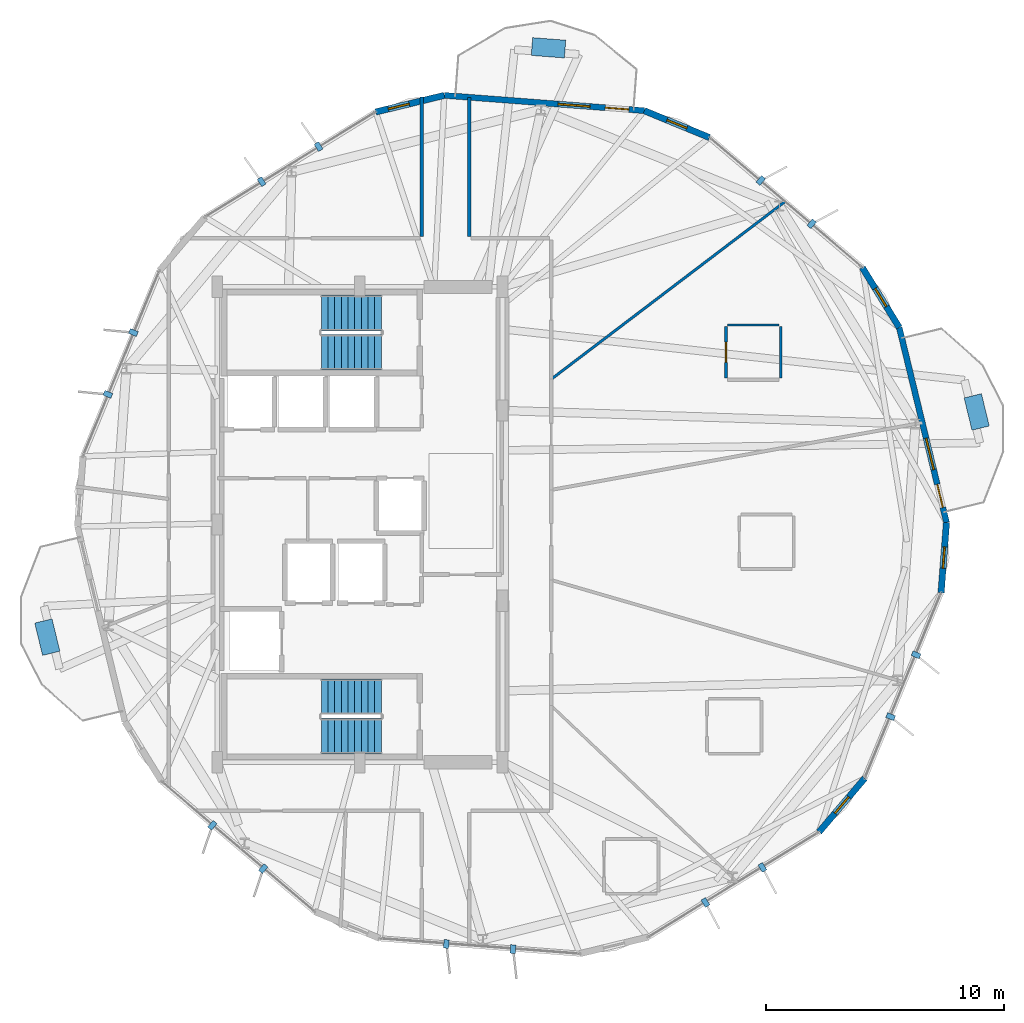
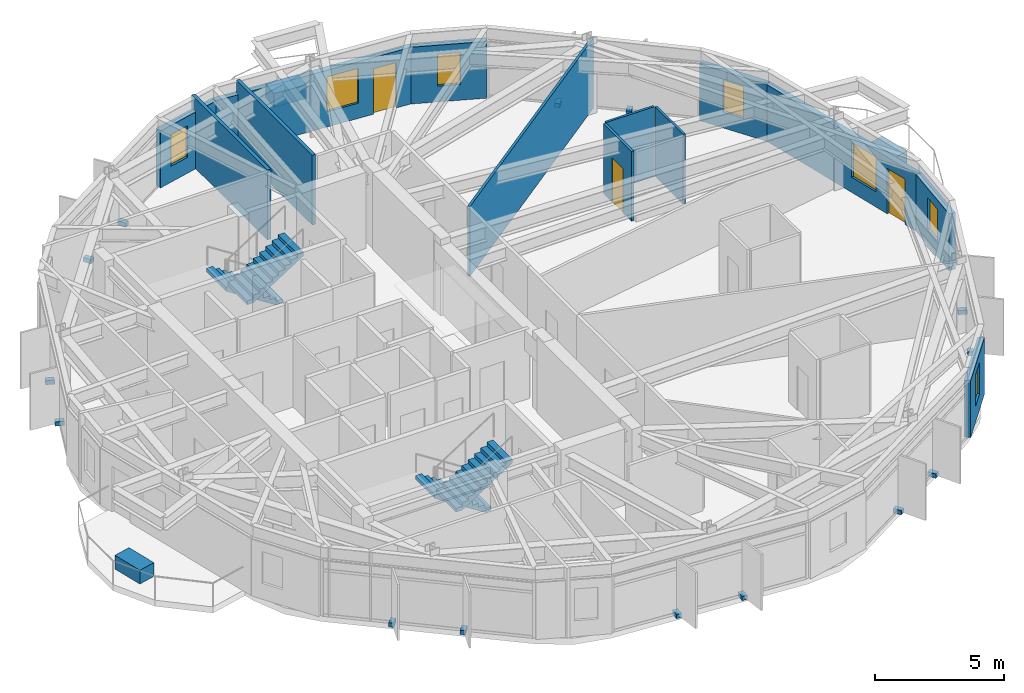
# One storey, part 17 of 21: 17 discrete accessories, 13 walls, 7 windows, 4 stair flights, 3 doors, 10 openings, 2 elements without a shape of their own.
"""IFC4 building model written with IfcOpenShell, lengths in metres."""

from ifc_helpers import new_model, si_unit, direction, frame, frame_2d, origin, origin_2d, place, context, subcontext, project, spatial, polyline, rectangle, outline, extrude, material, layer, layer_set, type_object, element, fill, aggregate, save


model = new_model("IFC4")

# Units and contexts
model_context = context("Model", 3, precision=1e-05, world=origin(), true_north=direction((0.0, 1.0)))
body_context = subcontext(model_context, "Body", "Model", "MODEL_VIEW")
ifc_project = project(units=[si_unit("LENGTHUNIT", "METRE"), si_unit("AREAUNIT", "SQUARE_METRE"), si_unit("VOLUMEUNIT", "CUBIC_METRE"), si_unit("PLANEANGLEUNIT", "RADIAN"), si_unit("MASSUNIT", "GRAM", prefix="KILO")], contexts=[model_context])

# Site, building, storey
site_placement = place(None, origin())
site = spatial("IfcSite", under=ifc_project, at=site_placement, CompositionType="ELEMENT")
building_placement = place(site_placement, origin())
building = spatial("IfcBuilding", under=site, at=building_placement, Name="Soratama Intermodal Tower", CompositionType="ELEMENT")
storey_placement = place(building_placement, frame((0.0, 0.0, 149.800048828125)))
storey = spatial("IfcBuildingStorey", under=building, at=storey_placement, Name="L36", CompositionType="ELEMENT", Elevation=149.800048828125)

# Wall, openings, door, window
ifc_material_1 = material(Name="Concrete f'c 42 MPa", Category="concrete")
ifc_layer_1 = layer(ifc_material_1, 0.25)
ifc_layer_set_1 = layer_set([ifc_layer_1], Name="Concrete f'c 42 MPa")
wall_type_1 = type_object("IfcWallType", Name="EW-BAL-250", PredefinedType="SOLIDWALL", material=ifc_layer_set_1)
wall_1_placement = place(storey_placement, frame((50.56640625, 42.414306640625, 0.0), z_axis=(0.0, 0.0, 1.0), x_axis=(-0.997080121931, 0.076362493745, 0.0)))
wall_1 = element("IfcWall", 1, at=wall_1_placement, inside=storey, type_object=wall_type_1, Name="L36 Terrace Wall F02", PredefinedType="SOLIDWALL", context=body_context, shape_type="SweptSolid", body=[
    extrude(rectangle(XDim=8.4404296875, YDim=0.25, at=frame_2d((4.22021484375, 0.0))), origin(), (0.0, 0.0, 1.0), 2.678955078125),
])
opening_1_placement = place(wall_1_placement, frame((0.64990234375, 0.0, 0.0)))
opening_1 = element("IfcOpeningElement", 2, at=opening_1_placement, cuts=wall_1, Name="Opening ED-2", PredefinedType="OPENING", context=body_context, shape_type="SweptSolid", body=[
    extrude(rectangle(XDim=1.0, YDim=2.14990234375, at=frame_2d((0.5, 1.074951171875))), frame((0.0, 0.135009765625, 0.0), z_axis=(0.0, -1.0, 0.0), x_axis=(1.0, 0.0, 0.0)), (0.0, 0.0, 1.0), 0.27001953125),
])
opening_2_placement = place(wall_1_placement, frame((2.2900390625, 0.0, 0.719970703125)))
opening_2 = element("IfcOpeningElement", 3, at=opening_2_placement, cuts=wall_1, Name="Opening WN-4", PredefinedType="OPENING", context=body_context, shape_type="SweptSolid", body=[
    extrude(rectangle(XDim=1.35009765625, YDim=1.64990234375, at=frame_2d((0.675048828125, 0.824951171875))), frame((0.0, 0.135009765625, 0.0), z_axis=(0.0, -1.0, 0.0), x_axis=(1.0, 0.0, 0.0)), (0.0, 0.0, 1.0), 0.27001953125),
])
ifc_material_2 = material(Name="Double-glazed aluminium door", Category="aluminium")
door_type_1 = type_object("IfcDoorType", Name="DR-BAL-1000", OperationType="NOTDEFINED", PredefinedType="DOOR", material=ifc_material_2)
door_1_placement = place(opening_1_placement, origin())
door_1 = element("IfcDoor", 4, at=door_1_placement, inside=storey, type_object=door_type_1, Name="L36 Balcony Door F02", OperationType="SINGLE_SWING_RIGHT", OverallHeight=2.14990234375, OverallWidth=1.0, PredefinedType="DOOR", context=body_context, shape_type="SweptSolid", body=[
    extrude(rectangle(XDim=1.0, YDim=2.14990234375, at=frame_2d((0.5, 1.074951171875))), frame((0.0, 0.02490234375, 0.0), z_axis=(0.0, -1.0, 0.0), x_axis=(1.0, 0.0, 0.0)), (0.0, 0.0, 1.0), 0.050048828125),
])
fill(opening_1, door_1)
ifc_material_3 = material(Name="Double-glazed aluminium window", Category="aluminium")
window_type_1 = type_object("IfcWindowType", Name="WN-FAC-1350", PartitioningType="SINGLE_PANEL", PredefinedType="WINDOW", material=ifc_material_3)
window_1_placement = place(opening_2_placement, origin())
window_1 = element("IfcWindow", 5, at=window_1_placement, inside=storey, type_object=window_type_1, Name="L36 Window B F02", OverallHeight=1.64990234375, OverallWidth=1.35009765625, PartitioningType="SINGLE_PANEL", PredefinedType="WINDOW", context=body_context, shape_type="SweptSolid", body=[
    extrude(rectangle(XDim=1.35009765625, YDim=1.64990234375, at=frame_2d((0.675048828125, 0.824951171875))), frame((0.0, 0.030029296875, 0.0), z_axis=(0.0, -1.0, 0.0), x_axis=(1.0, 0.0, 0.0)), (0.0, 0.0, 1.0), 0.06005859375),
])
fill(opening_2, window_1)

wall_2_placement = place(storey_placement, frame((63.281982421875, 25.08740234375, 0.0), z_axis=(0.0, 0.0, 1.0), x_axis=(-0.235484947951, 0.971877996092, 0.0)))
wall_2 = element("IfcWall", 6, at=wall_2_placement, inside=storey, type_object=wall_type_1, Name="L36 Terrace Wall F10", PredefinedType="SOLIDWALL", context=body_context, shape_type="SweptSolid", body=[
    extrude(rectangle(XDim=8.440185546875, YDim=0.25, at=frame_2d((4.22021484375, 0.0))), origin(), (0.0, 0.0, 1.0), 2.678955078125),
])
opening_3_placement = place(wall_2_placement, frame((0.64990234375, 0.0, 0.0)))
opening_3 = element("IfcOpeningElement", 7, at=opening_3_placement, cuts=wall_2, Name="Opening ED-2", PredefinedType="OPENING", context=body_context, shape_type="SweptSolid", body=[
    extrude(rectangle(XDim=1.0, YDim=2.14990234375, at=frame_2d((0.5, 1.074951171875))), frame((0.0, 0.135009765625, 0.0), z_axis=(0.0, -1.0, 0.0), x_axis=(1.0, 0.0, 0.0)), (0.0, 0.0, 1.0), 0.27001953125),
])
opening_4_placement = place(wall_2_placement, frame((2.2900390625, 0.0, 0.719970703125)))
opening_4 = element("IfcOpeningElement", 8, at=opening_4_placement, cuts=wall_2, Name="Opening WN-4", PredefinedType="OPENING", context=body_context, shape_type="SweptSolid", body=[
    extrude(rectangle(XDim=1.35009765625, YDim=1.64990234375, at=frame_2d((0.675048828125, 0.824951171875))), frame((0.0, 0.135009765625, 0.0), z_axis=(0.0, -1.0, 0.0), x_axis=(1.0, 0.0, 0.0)), (0.0, 0.0, 1.0), 0.27001953125),
])
door_2_placement = place(opening_3_placement, origin())
door_2 = element("IfcDoor", 9, at=door_2_placement, inside=storey, type_object=door_type_1, Name="L36 Balcony Door F10", OperationType="SINGLE_SWING_RIGHT", OverallHeight=2.14990234375, OverallWidth=1.0, PredefinedType="DOOR", context=body_context, shape_type="SweptSolid", body=[
    extrude(rectangle(XDim=1.0, YDim=2.14990234375, at=frame_2d((0.5, 1.074951171875))), frame((0.0, 0.02490234375, 0.0), z_axis=(0.0, -1.0, 0.0), x_axis=(1.0, 0.0, 0.0)), (0.0, 0.0, 1.0), 0.050048828125),
])
fill(opening_3, door_2)
window_2_placement = place(opening_4_placement, origin())
window_2 = element("IfcWindow", 10, at=window_2_placement, inside=storey, type_object=window_type_1, Name="L36 Window B F10", OverallHeight=1.64990234375, OverallWidth=1.35009765625, PartitioningType="SINGLE_PANEL", PredefinedType="WINDOW", context=body_context, shape_type="SweptSolid", body=[
    extrude(rectangle(XDim=1.35009765625, YDim=1.64990234375, at=frame_2d((0.675048828125, 0.824951171875))), frame((0.0, 0.030029296875, 0.0), z_axis=(0.0, -1.0, 0.0), x_axis=(1.0, 0.0, 0.0)), (0.0, 0.0, 1.0), 0.06005859375),
])
fill(opening_4, window_2)

# Wall, opening, window
ifc_material_4 = material(Name="Concrete f'c 42 MPa", Category="concrete")
ifc_layer_2 = layer(ifc_material_4, 0.27001953125)
ifc_layer_set_2 = layer_set([ifc_layer_2], Name="Concrete f'c 42 MPa")
wall_type_2 = type_object("IfcWallType", Name="EW-CRN-270", PredefinedType="SOLIDWALL", material=ifc_layer_set_2)
wall_3_placement = place(storey_placement, frame((53.3095703125, 41.28466796875, 0.0), z_axis=(0.0, 0.0, 1.0), x_axis=(-0.924666167686, 0.380778778737, 0.0)))
wall_3 = element("IfcWall", 11, at=wall_3_placement, inside=storey, type_object=wall_type_2, Name="L36 Corner Closure Wall 01", PredefinedType="SOLIDWALL", context=body_context, shape_type="SweptSolid", body=[
    extrude(rectangle(XDim=2.966552734375, YDim=0.27001953125, at=frame_2d((1.4833984375, 0.0))), origin(), (0.0, 0.0, 1.0), 2.678955078125),
])
opening_5_placement = place(wall_3_placement, frame((1.033203125, 0.0, 0.75)))
opening_5 = element("IfcOpeningElement", 12, at=opening_5_placement, cuts=wall_3, Name="Opening WN-6", PredefinedType="OPENING", context=body_context, shape_type="SweptSolid", body=[
    extrude(rectangle(XDim=0.89990234375, YDim=1.5, at=frame_2d((0.449951171875, 0.75))), frame((0.0, 0.14501953125, 0.0), z_axis=(0.0, -1.0, 0.0), x_axis=(1.0, 0.0, 0.0)), (0.0, 0.0, 1.0), 0.2900390625),
])
ifc_material_5 = material(Name="Double-glazed aluminium window", Category="aluminium")
window_type_2 = type_object("IfcWindowType", Name="WN-FAC-900", PartitioningType="SINGLE_PANEL", PredefinedType="WINDOW", material=ifc_material_5)
window_3_placement = place(opening_5_placement, origin())
window_3 = element("IfcWindow", 13, at=window_3_placement, inside=storey, type_object=window_type_2, Name="L36 Corner Window 01", OverallHeight=1.5, OverallWidth=0.89990234375, PartitioningType="SINGLE_PANEL", PredefinedType="WINDOW", context=body_context, shape_type="SweptSolid", body=[
    extrude(rectangle(XDim=0.89990234375, YDim=1.5, at=frame_2d((0.449951171875, 0.75))), frame((0.0, 0.030029296875, 0.0), z_axis=(0.0, -1.0, 0.0), x_axis=(1.0, 0.0, 0.0)), (0.0, 0.0, 1.0), 0.06005859375),
])
fill(opening_5, window_3)

wall_4_placement = place(storey_placement, frame((42.150634765625, 43.058837890625, 0.0), z_axis=(0.0, 0.0, 1.0), x_axis=(-0.971864950353, -0.235538782955, 0.0)))
wall_4 = element("IfcWall", 14, at=wall_4_placement, inside=storey, type_object=wall_type_2, Name="L36 Corner Closure Wall 02", PredefinedType="SOLIDWALL", context=body_context, shape_type="SweptSolid", body=[
    extrude(rectangle(XDim=2.966552734375, YDim=0.27001953125, at=frame_2d((1.4833984375, 0.0))), origin(), (0.0, 0.0, 1.0), 2.678955078125),
])
opening_6_placement = place(wall_4_placement, frame((1.519287109375, 0.0, 0.75)))
opening_6 = element("IfcOpeningElement", 15, at=opening_6_placement, cuts=wall_4, Name="Opening WN-6", PredefinedType="OPENING", context=body_context, shape_type="SweptSolid", body=[
    extrude(rectangle(XDim=0.89990234375, YDim=1.5, at=frame_2d((0.449951171875, 0.75))), frame((0.0, 0.14501953125, 0.0), z_axis=(0.0, -1.0, 0.0), x_axis=(1.0, 0.0, 0.0)), (0.0, 0.0, 1.0), 0.2900390625),
])
window_4_placement = place(opening_6_placement, origin())
window_4 = element("IfcWindow", 16, at=window_4_placement, inside=storey, type_object=window_type_2, Name="L36 Corner Window 02", OverallHeight=1.5, OverallWidth=0.89990234375, PartitioningType="SINGLE_PANEL", PredefinedType="WINDOW", context=body_context, shape_type="SweptSolid", body=[
    extrude(rectangle(XDim=0.89990234375, YDim=1.5, at=frame_2d((0.449951171875, 0.75))), frame((0.0, 0.030029296875, 0.0), z_axis=(0.0, -1.0, 0.0), x_axis=(1.0, 0.0, 0.0)), (0.0, 0.0, 1.0), 0.06005859375),
])
fill(opening_6, window_4)

wall_5_placement = place(storey_placement, frame((57.919921875, 12.06494140625, 0.0), z_axis=(0.0, 0.0, 1.0), x_axis=(0.647858622498, 0.761760595762, 0.0)))
wall_5 = element("IfcWall", 17, at=wall_5_placement, inside=storey, type_object=wall_type_2, Name="L36 Corner Closure Wall 08", PredefinedType="SOLIDWALL", context=body_context, shape_type="SweptSolid", body=[
    extrude(rectangle(XDim=2.966552734375, YDim=0.27001953125, at=frame_2d((1.4833984375, 0.0))), origin(), (0.0, 0.0, 1.0), 2.678955078125),
])
opening_7_placement = place(wall_5_placement, frame((1.033203125, 0.0, 0.75)))
opening_7 = element("IfcOpeningElement", 18, at=opening_7_placement, cuts=wall_5, Name="Opening WN-6", PredefinedType="OPENING", context=body_context, shape_type="SweptSolid", body=[
    extrude(rectangle(XDim=0.89990234375, YDim=1.5, at=frame_2d((0.449951171875, 0.75))), frame((0.0, 0.14501953125, 0.0), z_axis=(0.0, -1.0, 0.0), x_axis=(1.0, 0.0, 0.0)), (0.0, 0.0, 1.0), 0.2900390625),
])
window_5_placement = place(opening_7_placement, origin())
window_5 = element("IfcWindow", 19, at=window_5_placement, inside=storey, type_object=window_type_2, Name="L36 Corner Window 08", OverallHeight=1.5, OverallWidth=0.89990234375, PartitioningType="SINGLE_PANEL", PredefinedType="WINDOW", context=body_context, shape_type="SweptSolid", body=[
    extrude(rectangle(XDim=0.89990234375, YDim=1.5, at=frame_2d((0.449951171875, 0.75))), frame((0.0, 0.030029296875, 0.0), z_axis=(0.0, -1.0, 0.0), x_axis=(1.0, 0.0, 0.0)), (0.0, 0.0, 1.0), 0.06005859375),
])
fill(opening_7, window_5)

wall_6_placement = place(storey_placement, frame((63.055419921875, 22.12939453125, 0.0), z_axis=(0.0, 0.0, 1.0), x_axis=(0.076369253278, 0.997079604221, 0.0)))
wall_6 = element("IfcWall", 20, at=wall_6_placement, inside=storey, type_object=wall_type_2, Name="L36 Corner Closure Wall 09", PredefinedType="SOLIDWALL", context=body_context, shape_type="SweptSolid", body=[
    extrude(rectangle(XDim=2.966552734375, YDim=0.27001953125, at=frame_2d((1.4833984375, 0.0))), origin(), (0.0, 0.0, 1.0), 2.678955078125),
])
opening_8_placement = place(wall_6_placement, frame((1.033203125, 0.0, 0.75)))
opening_8 = element("IfcOpeningElement", 21, at=opening_8_placement, cuts=wall_6, Name="Opening WN-6", PredefinedType="OPENING", context=body_context, shape_type="SweptSolid", body=[
    extrude(rectangle(XDim=0.89990234375, YDim=1.5, at=frame_2d((0.449951171875, 0.75))), frame((0.0, 0.14501953125, 0.0), z_axis=(0.0, -1.0, 0.0), x_axis=(1.0, 0.0, 0.0)), (0.0, 0.0, 1.0), 0.2900390625),
])
window_6_placement = place(opening_8_placement, origin())
window_6 = element("IfcWindow", 22, at=window_6_placement, inside=storey, type_object=window_type_2, Name="L36 Corner Window 09", OverallHeight=1.5, OverallWidth=0.89990234375, PartitioningType="SINGLE_PANEL", PredefinedType="WINDOW", context=body_context, shape_type="SweptSolid", body=[
    extrude(rectangle(XDim=0.89990234375, YDim=1.5, at=frame_2d((0.449951171875, 0.75))), frame((0.0, 0.030029296875, 0.0), z_axis=(0.0, -1.0, 0.0), x_axis=(1.0, 0.0, 0.0)), (0.0, 0.0, 1.0), 0.06005859375),
])
fill(opening_8, window_6)

wall_7_placement = place(storey_placement, frame((61.29443359375, 33.290283203125, 0.0), z_axis=(0.0, 0.0, 1.0), x_axis=(-0.52431321731, 0.851525484148, 0.0)))
wall_7 = element("IfcWall", 23, at=wall_7_placement, inside=storey, type_object=wall_type_2, Name="L36 Corner Closure Wall 10", PredefinedType="SOLIDWALL", context=body_context, shape_type="SweptSolid", body=[
    extrude(rectangle(XDim=2.966552734375, YDim=0.27001953125, at=frame_2d((1.4833984375, 0.0))), origin(), (0.0, 0.0, 1.0), 2.678955078125),
])
opening_9_placement = place(wall_7_placement, frame((1.033203125, 0.0, 0.75)))
opening_9 = element("IfcOpeningElement", 24, at=opening_9_placement, cuts=wall_7, Name="Opening WN-6", PredefinedType="OPENING", context=body_context, shape_type="SweptSolid", body=[
    extrude(rectangle(XDim=0.89990234375, YDim=1.5, at=frame_2d((0.449951171875, 0.75))), frame((0.0, 0.14501953125, 0.0), z_axis=(0.0, -1.0, 0.0), x_axis=(1.0, 0.0, 0.0)), (0.0, 0.0, 1.0), 0.2900390625),
])
window_7_placement = place(opening_9_placement, origin())
window_7 = element("IfcWindow", 25, at=window_7_placement, inside=storey, type_object=window_type_2, Name="L36 Corner Window 10", OverallHeight=1.5, OverallWidth=0.89990234375, PartitioningType="SINGLE_PANEL", PredefinedType="WINDOW", context=body_context, shape_type="SweptSolid", body=[
    extrude(rectangle(XDim=0.89990234375, YDim=1.5, at=frame_2d((0.449951171875, 0.75))), frame((0.0, 0.030029296875, 0.0), z_axis=(0.0, -1.0, 0.0), x_axis=(1.0, 0.0, 0.0)), (0.0, 0.0, 1.0), 0.06005859375),
])
fill(opening_9, window_7)

# Walls
ifc_material_6 = material(Name="Fire-rated gypsum stud partition", Category="concrete")
ifc_layer_3 = layer(ifc_material_6, 0.14990234375)
ifc_layer_set_3 = layer_set([ifc_layer_3], Name="Fire-rated gypsum stud partition")
wall_type_3 = type_object("IfcWallType", Name="IW-PART-R150", PredefinedType="PARTITIONING", material=ifc_layer_set_3)
wall_8_placement = place(storey_placement, frame((41.199951171875, 37.1201171875, 0.0), z_axis=(0.0, 0.0, 1.0), x_axis=(0.0, 1.0, 0.0)))
element("IfcWall", 26, at=wall_8_placement, inside=storey, type_object=wall_type_3, Name="L36 Partition W-L36-TP011", PredefinedType="PARTITIONING", context=body_context, shape_type="SweptSolid", body=[
    extrude(rectangle(XDim=5.86181640625, YDim=0.14990234375, at=frame_2d((2.930908203125, 0.0))), origin(), (0.0, 0.0, 1.0), 3.300048828125),
])
wall_9_placement = place(storey_placement, frame((43.199951171875, 42.97802734375, 0.0), z_axis=(0.0, 0.0, 1.0), x_axis=(0.0, -1.0, 0.0)))
element("IfcWall", 27, at=wall_9_placement, inside=storey, type_object=wall_type_3, Name="L36 Partition W-L36-TP012", PredefinedType="PARTITIONING", context=body_context, shape_type="SweptSolid", body=[
    extrude(rectangle(XDim=5.85791015625, YDim=0.14990234375, at=frame_2d((2.928955078125, 0.0))), origin(), (0.0, 0.0, 1.0), 3.300048828125),
])
ifc_material_7 = material(Name="Fire-rated gypsum stud partition", Category="concrete")
ifc_layer_4 = layer(ifc_material_7, 0.10009765625)
ifc_layer_set_4 = layer_set([ifc_layer_4], Name="Fire-rated gypsum stud partition")
wall_type_4 = type_object("IfcWallType", Name="IW-PART-S100", PredefinedType="PARTITIONING", material=ifc_layer_set_4)
wall_10_placement = place(storey_placement, frame((56.302978515625, 31.1689453125, 0.0), z_axis=(0.0, 0.0, 1.0), x_axis=(0.0, 1.0, 0.0)))
element("IfcWall", 28, at=wall_10_placement, inside=storey, type_object=wall_type_4, Name="L36 Partition W-L36-TP034", PredefinedType="PARTITIONING", context=body_context, shape_type="SweptSolid", body=[
    extrude(rectangle(XDim=2.16015625, YDim=0.10009765625, at=frame_2d((1.080078125, 0.0))), origin(), (0.0, 0.0, 1.0), 3.300048828125),
])
wall_11_placement = place(storey_placement, frame((56.23291015625, 33.39892578125, 0.0), z_axis=(0.0, 0.0, 1.0), x_axis=(-1.0, 0.0, 0.0)))
element("IfcWall", 29, at=wall_11_placement, inside=storey, type_object=wall_type_4, Name="L36 Partition W-L36-TP039", PredefinedType="PARTITIONING", context=body_context, shape_type="SweptSolid", body=[
    extrude(rectangle(XDim=2.159912109375, YDim=0.10009765625, at=frame_2d((1.080078125, 0.0))), origin(), (0.0, 0.0, 1.0), 3.300048828125),
])
ifc_material_8 = material(Name="Fire-rated gypsum stud partition", Category="concrete")
ifc_layer_5 = layer(ifc_material_8, 0.110107421875)
ifc_layer_set_5 = layer_set([ifc_layer_5], Name="Fire-rated gypsum stud partition")
wall_type_5 = type_object("IfcWallType", Name="IW-PART-S110", PredefinedType="PARTITIONING", material=ifc_layer_set_5)
wall_12_placement = place(storey_placement, frame((46.64990234375, 31.114990234375, 0.0), z_axis=(0.0, 0.0, 1.0), x_axis=(0.796312645744, 0.60488525377, 0.0)))
element("IfcWall", 30, at=wall_12_placement, inside=storey, type_object=wall_type_5, Name="L36 Partition W-L36-TP003", PredefinedType="PARTITIONING", context=body_context, shape_type="SweptSolid", body=[
    extrude(rectangle(XDim=12.349365234375, YDim=0.110107421875, at=frame_2d((6.1748046875, 0.0))), origin(), (0.0, 0.0, 1.0), 3.300048828125),
])

# Wall, opening, door
wall_13_placement = place(storey_placement, frame((54.0029296875, 33.3291015625, 0.0), z_axis=(0.0, 0.0, 1.0), x_axis=(0.0, -1.0, 0.0)))
wall_13 = element("IfcWall", 31, at=wall_13_placement, inside=storey, type_object=wall_type_5, Name="L36 Partition W-L36-TP033", PredefinedType="PARTITIONING", context=body_context, shape_type="SweptSolid", body=[
    extrude(rectangle(XDim=2.16015625, YDim=0.110107421875, at=frame_2d((1.080078125, 0.0))), origin(), (0.0, 0.0, 1.0), 3.300048828125),
])
opening_10_placement = place(wall_13_placement, frame((0.655029296875, 0.0, 0.0)))
opening_10 = element("IfcOpeningElement", 32, at=opening_10_placement, cuts=wall_13, Name="Opening ID-4", PredefinedType="OPENING", context=body_context, shape_type="SweptSolid", body=[
    extrude(rectangle(XDim=0.85009765625, YDim=2.10009765625, at=frame_2d((0.425048828125, 1.050048828125))), frame((0.0, 0.06494140625, 0.0), z_axis=(0.0, -1.0, 0.0), x_axis=(1.0, 0.0, 0.0)), (0.0, 0.0, 1.0), 0.130126953125),
])
ifc_material_9 = material(Name="Solid hardwood acoustic door", Category="wood")
door_type_2 = type_object("IfcDoorType", Name="DR-BATH-850", OperationType="NOTDEFINED", PredefinedType="DOOR", material=ifc_material_9)
door_3_placement = place(opening_10_placement, origin())
door_3 = element("IfcDoor", 33, at=door_3_placement, inside=storey, type_object=door_type_2, Name="L36 Door D-L36-TP018", OperationType="SINGLE_SWING_LEFT", OverallHeight=2.10009765625, OverallWidth=0.85009765625, PredefinedType="DOOR", context=body_context, shape_type="SweptSolid", body=[
    extrude(rectangle(XDim=0.85009765625, YDim=2.10009765625, at=frame_2d((0.425048828125, 1.050048828125))), frame((0.0, 0.02490234375, 0.0), z_axis=(0.0, -1.0, 0.0), x_axis=(1.0, 0.0, 0.0)), (0.0, 0.0, 1.0), 0.050048828125),
])
fill(opening_10, door_3)

# Stair, stair flights
ifc_material_10 = material(Name="Concrete f'c 42 MPa", Category="concrete")
stair_type = type_object("IfcStairType", Name="ST-CORE-DOGLEG", PredefinedType="HALF_TURN_STAIR", material=ifc_material_10)
stair_1_placement = place(storey_placement, origin())
stair_1 = element("IfcStair", 34, at=stair_1_placement, inside=storey, type_object=stair_type, Name="L36 ST-1", PredefinedType="HALF_TURN_STAIR")
ifc_material_11 = material(Name="Precast concrete f'c 40 MPa", Category="concrete")
ifc_layer_6 = layer(ifc_material_11, 0.199951171875)
ifc_layer_set_6 = layer_set([ifc_layer_6], Name="Precast concrete f'c 40 MPa")
stair_flight_type = type_object("IfcStairFlightType", Name="SF-FLIGHT-RC", PredefinedType="STRAIGHT", material=ifc_layer_set_6)
stair_flight_1_placement = place(storey_placement, frame((39.5, 17.75, 0.0), z_axis=(0.0, 0.0, 1.0), x_axis=(-1.0, 0.0, 0.0)))
stair_flight_1 = element("IfcStairFlight", 35, at=stair_flight_1_placement, type_object=stair_flight_type, Name="ST-1 flight 1", NumberOfRisers=10, NumberOfTreads=9, PredefinedType="STRAIGHT", RiserHeight=0.18, TreadLength=0.28, context=body_context, shape_type="SweptSolid", body=[
    extrude(outline(polyline([(0.0, 0.0), (0.0, 0.179931640625), (0.280029296875, 0.179931640625), (0.280029296875, 0.360107421875), (0.56005859375, 0.360107421875), (0.56005859375, 0.5400390625), (0.840087890625, 0.5400390625), (0.840087890625, 0.719970703125), (1.1201171875, 0.719970703125), (1.1201171875, 0.89990234375), (1.39990234375, 0.89990234375), (1.39990234375, 1.080078125), (1.679931640625, 1.080078125), (1.679931640625, 1.260009765625), (1.9599609375, 1.260009765625), (1.9599609375, 1.43994140625), (2.239990234375, 1.43994140625), (2.239990234375, 1.6201171875), (2.52001953125, 1.6201171875), (2.52001953125, 1.800048828125), (2.52001953125, 1.44189453125), (0.277099609375, 0.0), (0.0, 0.0)])), frame((0.0, 0.75, 0.0), z_axis=(0.0, -1.0, 0.0), x_axis=(1.0, 0.0, 0.0)), (0.0, 0.0, 1.0), 1.5),
])
stair_flight_2_placement = place(storey_placement, frame((36.97998046875, 16.10009765625, 1.800048828125), z_axis=(0.0, 0.0, 1.0), x_axis=(1.0, 0.0, 0.0)))
stair_flight_2 = element("IfcStairFlight", 36, at=stair_flight_2_placement, type_object=stair_flight_type, Name="ST-1 flight 2", NumberOfRisers=10, NumberOfTreads=9, PredefinedType="STRAIGHT", RiserHeight=0.18, TreadLength=0.28, context=body_context, shape_type="SweptSolid", body=[
    extrude(outline(polyline([(0.0, 0.0), (0.0, 0.179931640625), (0.280029296875, 0.179931640625), (0.280029296875, 0.360107421875), (0.56005859375, 0.360107421875), (0.56005859375, 0.5400390625), (0.840087890625, 0.5400390625), (0.840087890625, 0.719970703125), (1.1201171875, 0.719970703125), (1.1201171875, 0.89990234375), (1.39990234375, 0.89990234375), (1.39990234375, 1.080078125), (1.679931640625, 1.080078125), (1.679931640625, 1.260009765625), (1.9599609375, 1.260009765625), (1.9599609375, 1.43994140625), (2.239990234375, 1.43994140625), (2.239990234375, 1.6201171875), (2.52001953125, 1.6201171875), (2.52001953125, 1.800048828125), (2.52001953125, 1.44189453125), (0.277099609375, 0.0), (0.0, 0.0)])), frame((0.0, 0.75, 0.0), z_axis=(0.0, -1.0, 0.0), x_axis=(1.0, 0.0, 0.0)), (0.0, 0.0, 1.0), 1.5),
])
aggregate(stair_1, [stair_flight_1, stair_flight_2])

stair_2_placement = place(storey_placement, origin())
stair_2 = element("IfcStair", 37, at=stair_2_placement, inside=storey, type_object=stair_type, Name="L36 ST-2", PredefinedType="HALF_TURN_STAIR")
stair_flight_3_placement = place(storey_placement, frame((39.5, 33.89990234375, 0.0), z_axis=(0.0, 0.0, 1.0), x_axis=(-1.0, 0.0, 0.0)))
stair_flight_3 = element("IfcStairFlight", 38, at=stair_flight_3_placement, type_object=stair_flight_type, Name="ST-2 flight 1", NumberOfRisers=10, NumberOfTreads=9, PredefinedType="STRAIGHT", RiserHeight=0.18, TreadLength=0.28, context=body_context, shape_type="SweptSolid", body=[
    extrude(outline(polyline([(0.0, 0.0), (0.0, 0.179931640625), (0.280029296875, 0.179931640625), (0.280029296875, 0.360107421875), (0.56005859375, 0.360107421875), (0.56005859375, 0.5400390625), (0.840087890625, 0.5400390625), (0.840087890625, 0.719970703125), (1.1201171875, 0.719970703125), (1.1201171875, 0.89990234375), (1.39990234375, 0.89990234375), (1.39990234375, 1.080078125), (1.679931640625, 1.080078125), (1.679931640625, 1.260009765625), (1.9599609375, 1.260009765625), (1.9599609375, 1.43994140625), (2.239990234375, 1.43994140625), (2.239990234375, 1.6201171875), (2.52001953125, 1.6201171875), (2.52001953125, 1.800048828125), (2.52001953125, 1.44189453125), (0.277099609375, 0.0), (0.0, 0.0)])), frame((0.0, 0.75, 0.0), z_axis=(0.0, -1.0, 0.0), x_axis=(1.0, 0.0, 0.0)), (0.0, 0.0, 1.0), 1.5),
])
stair_flight_4_placement = place(storey_placement, frame((36.97998046875, 32.25, 1.800048828125), z_axis=(0.0, 0.0, 1.0), x_axis=(1.0, 0.0, 0.0)))
stair_flight_4 = element("IfcStairFlight", 39, at=stair_flight_4_placement, type_object=stair_flight_type, Name="ST-2 flight 2", NumberOfRisers=10, NumberOfTreads=9, PredefinedType="STRAIGHT", RiserHeight=0.18, TreadLength=0.28, context=body_context, shape_type="SweptSolid", body=[
    extrude(outline(polyline([(0.0, 0.0), (0.0, 0.179931640625), (0.280029296875, 0.179931640625), (0.280029296875, 0.360107421875), (0.56005859375, 0.360107421875), (0.56005859375, 0.5400390625), (0.840087890625, 0.5400390625), (0.840087890625, 0.719970703125), (1.1201171875, 0.719970703125), (1.1201171875, 0.89990234375), (1.39990234375, 0.89990234375), (1.39990234375, 1.080078125), (1.679931640625, 1.080078125), (1.679931640625, 1.260009765625), (1.9599609375, 1.260009765625), (1.9599609375, 1.43994140625), (2.239990234375, 1.43994140625), (2.239990234375, 1.6201171875), (2.52001953125, 1.6201171875), (2.52001953125, 1.800048828125), (2.52001953125, 1.44189453125), (0.277099609375, 0.0), (0.0, 0.0)])), frame((0.0, 0.75, 0.0), z_axis=(0.0, -1.0, 0.0), x_axis=(1.0, 0.0, 0.0)), (0.0, 0.0, 1.0), 1.5),
])
aggregate(stair_2, [stair_flight_3, stair_flight_4])

# Discrete accessories
ifc_material_12 = material(Name="Structural steel ASTM A992 Grade 50", Category="steel")
discrete_accessory_type_1 = type_object("IfcDiscreteAccessoryType", Name="AC-FIN-BRACKET", PredefinedType="BRACKET", material=ifc_material_12)
for number, where, z_axis, x_axis, name in (
    (40, (57.60888671875, 37.654541015625, -0.080078125), (0.0, 0.0, 1.0), (0.647854034566, 0.761764497661, 0.0), "L36 Fin Bracket F01-1"),
    (41, (55.4658203125, 39.477294921875, -0.080078125), (0.0, 0.0, 1.0), (0.647854034566, 0.761764497661, 0.0), "L36 Fin Bracket F01-2"),
    (42, (36.861083984375, 40.902099609375, -0.080078125), (0.0, 0.0, 1.0), (-0.524283182828, 0.851543976671, 0.0), "L36 Fin Bracket F03-1"),
    (43, (34.46533203125, 39.42724609375, -0.080078125), (0.0, 0.0, 1.0), (-0.524283182828, 0.851543976671, 0.0), "L36 Fin Bracket F03-2"),
    (44, (29.068603515625, 33.081298828125, -0.080078125), (0.0, 0.0, 1.0), (-0.924678995938, 0.380747625693, 0.0), "L36 Fin Bracket F04-1"),
    (45, (27.997314453125, 30.479736328125, -0.080078125), (0.0, 0.0, 1.0), (-0.924678995938, 0.380747625693, 0.0), "L36 Fin Bracket F04-2"),
    (46, (32.39111328125, 12.345458984375, -0.080078125), (0.0, 0.0, 1.0), (-0.647854034566, -0.761764497661, 0.0), "L36 Fin Bracket F06-1"),
    (47, (34.5341796875, 10.522705078125, -0.080078125), (0.0, 0.0, 1.0), (-0.647854034566, -0.761764497661, 0.0), "L36 Fin Bracket F06-2"),
    (48, (42.2373046875, 7.35107421875, -0.080078125), (0.0, 0.0, 1.0), (-0.076370986393, -0.997079471475, 0.0), "L36 Fin Bracket F07-1"),
    (49, (45.04248046875, 7.135986328125, -0.080078125), (0.0, 0.0, 1.0), (-0.076370986393, -0.997079471475, 0.0), "L36 Fin Bracket F07-2"),
    (50, (53.138916015625, 9.097900390625, -0.080078125), (0.0, 0.0, 1.0), (0.524283182828, -0.851543976671, 0.0), "L36 Fin Bracket F08-1"),
    (51, (55.53466796875, 10.57275390625, -0.080078125), (0.0, 0.0, 1.0), (0.524283182828, -0.851543976671, 0.0), "L36 Fin Bracket F08-2"),
    (52, (60.931396484375, 16.918701171875, -0.080078125), (0.0, 0.0, 1.0), (0.924678995938, -0.380747625693, 0.0), "L36 Fin Bracket F09-1"),
    (53, (62.002685546875, 19.520263671875, -0.080078125), (0.0, 0.0, 1.0), (0.924678995938, -0.380747625693, 0.0), "L36 Fin Bracket F09-2"),
):
    element("IfcDiscreteAccessory", number, at=place(storey_placement, frame(where, z_axis=z_axis, x_axis=x_axis)), inside=storey, type_object=discrete_accessory_type_1, Name=name, PredefinedType="BRACKET", context=body_context, shape_type="SweptSolid", body=[
        extrude(rectangle(XDim=0.360107421875, YDim=0.219970703125, at=origin_2d()), origin(), (0.0, 0.0, 1.0), 0.199951171875),
    ])
ifc_material_13 = material(Name="Precast concrete f'c 40 MPa", Category="concrete")
discrete_accessory_type_2 = type_object("IfcDiscreteAccessoryType", Name="AC-PLANTER-TREE", PredefinedType="USERDEFINED", material=ifc_material_13)
for number, where, z_axis, x_axis, name in (
    (54, (64.552734375, 29.737548828125, 0.0), (0.0, 0.0, 1.0), (0.971878861283, 0.235481377163, 0.0), "L36 Tree Planter 1"),
    (55, (46.536376953125, 45.059814453125, 0.0), (0.0, 0.0, 1.0), (0.076370986393, 0.997079471475, 0.0), "L36 Tree Planter 2"),
    (56, (25.447265625, 20.262451171875, 0.0), (0.0, 0.0, 1.0), (-0.971878861283, -0.235481377163, 0.0), "L36 Tree Planter 3"),
):
    element("IfcDiscreteAccessory", number, at=place(storey_placement, frame(where, z_axis=z_axis, x_axis=x_axis)), inside=storey, type_object=discrete_accessory_type_2, Name=name, ObjectType="PLANTER", PredefinedType="USERDEFINED", context=body_context, shape_type="SweptSolid", body=[
        extrude(rectangle(XDim=0.75, YDim=1.39990234375, at=origin_2d()), origin(), (0.0, 0.0, 1.0), 0.64990234375),
    ])

save(model, "model.ifc")
